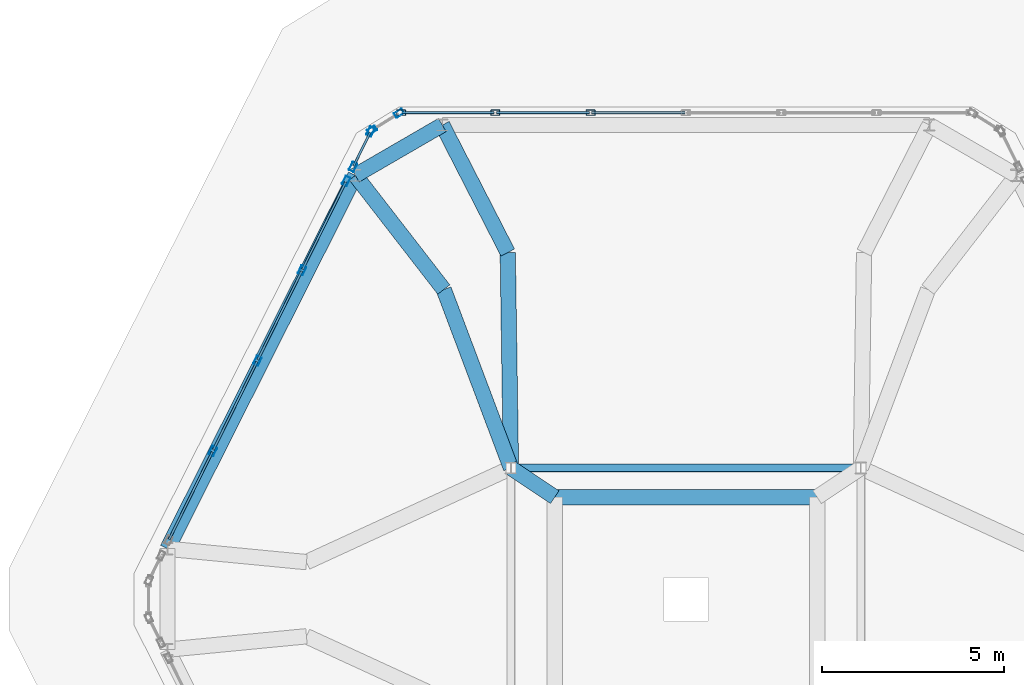
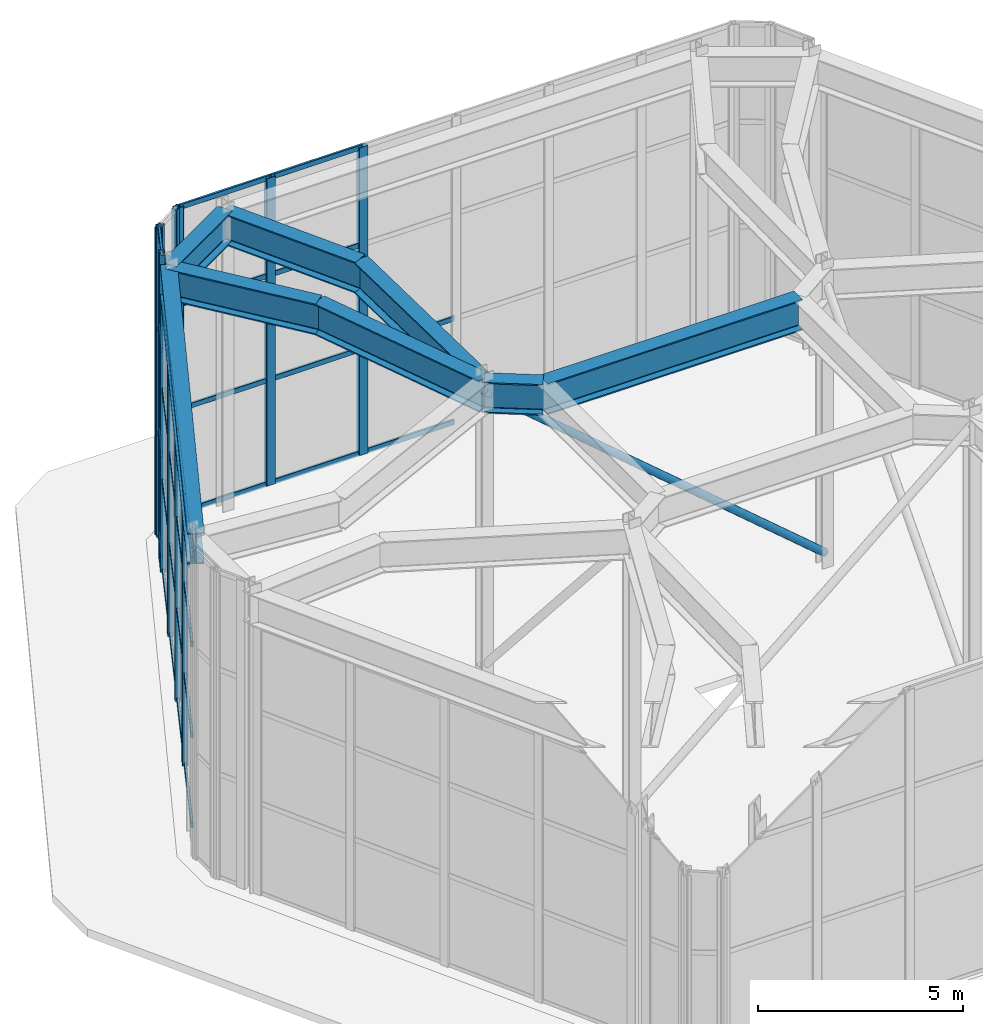
# One storey, part 5 of 10: 42 members, 8 beams, 4 elements without a shape of their own.
"""IFC4 building model written with IfcOpenShell, lengths in metres."""

from ifc_helpers import new_model, si_unit, direction, frame, origin, origin_2d, place, context, subcontext, project, spatial, hollow_rectangle, hollow_circle, i_section, extrude, material, layer, layer_set, material_profile, profile_set, type_object, element, aggregate, save


model = new_model("IFC4")

# Units and contexts
model_context = context("Model", 3, precision=1e-05, world=origin(), true_north=direction((0.0, 1.0)))
body_context = subcontext(model_context, "Body", "Model", "MODEL_VIEW")
ifc_project = project(units=[si_unit("LENGTHUNIT", "METRE"), si_unit("AREAUNIT", "SQUARE_METRE"), si_unit("VOLUMEUNIT", "CUBIC_METRE"), si_unit("PLANEANGLEUNIT", "RADIAN"), si_unit("MASSUNIT", "GRAM", prefix="KILO")], contexts=[model_context])

# Site, building, storey
site_placement = place(None, origin())
site = spatial("IfcSite", under=ifc_project, at=site_placement, CompositionType="ELEMENT")
building_placement = place(site_placement, origin())
building = spatial("IfcBuilding", under=site, at=building_placement, Name="Cinnabar Lancet Tower", CompositionType="ELEMENT")
storey_placement = place(building_placement, frame((0.0, 0.0, 314.675048828125)))
storey = spatial("IfcBuildingStorey", under=building, at=storey_placement, Name="L81", CompositionType="ELEMENT", Elevation=314.675048828125)

# Curtain wall, members
ifc_material_1 = material(Name="Thermally broken bronze-anodized aluminium and low-E glass", Category="aluminium")
ifc_layer = layer(ifc_material_1, 0.179931640625)
ifc_layer_set = layer_set([ifc_layer], Name="Thermally broken bronze-anodized aluminium and low-E glass")
curtain_wall_type = type_object("IfcCurtainWallType", Name="ENV-CW-SYS-05", PredefinedType="NOTDEFINED", material=ifc_layer_set)
curtain_wall_1_placement = place(storey_placement, origin())
curtain_wall_1 = element("IfcCurtainWall", 1, at=curtain_wall_1_placement, inside=storey, type_object=curtain_wall_type, Name="L81 Faceted Lancet Crown Curtain Wall 12", PredefinedType="NOTDEFINED")
ifc_material_2 = material(Name="Anodized architectural aluminium 6063-T6", Category="aluminium")
ifc_material_profile_1 = material_profile(ifc_material_2, hollow_rectangle(XDim=0.14990234375, YDim=0.25, WallThickness=0.010009765625, InnerFilletRadius=0.0048828125, OuterFilletRadius=0.014892578125, at=origin_2d()), Name="RHS 250x150x10")
ifc_profile_set_1 = profile_set([ifc_material_profile_1], Name="Anodized architectural aluminium 6063-T6")
member_type_1 = type_object("IfcMemberType", Name="ENV-CW-MUL-260", PredefinedType="MULLION", material=ifc_profile_set_1)
member_1_placement = place(storey_placement, frame((29.785400390625, 39.14990234375, 0.0), z_axis=(0.0, 0.0, 1.0), x_axis=(0.0, -1.0, 0.0)))
member_1 = element("IfcMember", 2, at=member_1_placement, type_object=member_type_1, Name="CW-05 mullion 5", PredefinedType="MULLION", context=body_context, shape_type="SweptSolid", body=[
    extrude(hollow_rectangle(XDim=0.14990234375, YDim=0.25, WallThickness=0.010009765625, InnerFilletRadius=0.0048828125, OuterFilletRadius=0.014892578125, at=origin_2d()), origin(), (0.0, 0.0, 1.0), 9.175048828125),
])
member_2_placement = place(storey_placement, frame((27.170654296875, 39.14990234375, 0.0), z_axis=(0.0, 0.0, 1.0), x_axis=(0.0, -1.0, 0.0)))
member_2 = element("IfcMember", 3, at=member_2_placement, type_object=member_type_1, Name="CW-05 mullion 6", PredefinedType="MULLION", context=body_context, shape_type="SweptSolid", body=[
    extrude(hollow_rectangle(XDim=0.14990234375, YDim=0.25, WallThickness=0.010009765625, InnerFilletRadius=0.0048828125, OuterFilletRadius=0.014892578125, at=origin_2d()), origin(), (0.0, 0.0, 1.0), 9.175048828125),
])
member_3_placement = place(storey_placement, frame((24.5859375, 39.14990234375, 0.0), z_axis=(0.0, 0.0, 1.0), x_axis=(0.0, -1.0, 0.0)))
member_3 = element("IfcMember", 4, at=member_3_placement, type_object=member_type_1, Name="CW-05 mullion 7", PredefinedType="MULLION", context=body_context, shape_type="SweptSolid", body=[
    extrude(hollow_rectangle(XDim=0.14990234375, YDim=0.25, WallThickness=0.010009765625, InnerFilletRadius=0.0048828125, OuterFilletRadius=0.014892578125, at=origin_2d()), origin(), (0.0, 0.0, 1.0), 9.175048828125),
])

curtain_wall_2_placement = place(storey_placement, origin())
curtain_wall_2 = element("IfcCurtainWall", 5, at=curtain_wall_2_placement, inside=storey, type_object=curtain_wall_type, Name="L81 Faceted Lancet Crown Curtain Wall 13", PredefinedType="NOTDEFINED")
member_4_placement = place(storey_placement, frame((24.530517578125, 39.13427734375, 0.0), z_axis=(0.0, 0.0, 1.0), x_axis=(0.527975874925, -0.849259368802, 0.0)))
member_4 = element("IfcMember", 6, at=member_4_placement, type_object=member_type_1, Name="CW-05 mullion 1", PredefinedType="MULLION", context=body_context, shape_type="SweptSolid", body=[
    extrude(hollow_rectangle(XDim=0.14990234375, YDim=0.25, WallThickness=0.010009765625, InnerFilletRadius=0.0048828125, OuterFilletRadius=0.014892578125, at=origin_2d()), origin(), (0.0, 0.0, 1.0), 9.175048828125),
])
member_5_placement = place(storey_placement, frame((23.78857421875, 38.6728515625, 0.0), z_axis=(0.0, 0.0, 1.0), x_axis=(0.527975874925, -0.849259368802, 0.0)))
member_5 = element("IfcMember", 7, at=member_5_placement, type_object=member_type_1, Name="CW-05 mullion 2", PredefinedType="MULLION", context=body_context, shape_type="SweptSolid", body=[
    extrude(hollow_rectangle(XDim=0.14990234375, YDim=0.25, WallThickness=0.010009765625, InnerFilletRadius=0.0048828125, OuterFilletRadius=0.014892578125, at=origin_2d()), origin(), (0.0, 0.0, 1.0), 9.175048828125),
])
aggregate(curtain_wall_2, [member_4, member_5])

curtain_wall_3_placement = place(storey_placement, origin())
curtain_wall_3 = element("IfcCurtainWall", 8, at=curtain_wall_3_placement, inside=storey, type_object=curtain_wall_type, Name="L81 Faceted Lancet Crown Curtain Wall 14", PredefinedType="NOTDEFINED")
member_6_placement = place(storey_placement, frame((23.749755859375, 38.630126953125, 0.0), z_axis=(0.0, 0.0, 1.0), x_axis=(0.896342772424, -0.443361742062, 0.0)))
member_6 = element("IfcMember", 9, at=member_6_placement, type_object=member_type_1, Name="CW-05 mullion 1", PredefinedType="MULLION", context=body_context, shape_type="SweptSolid", body=[
    extrude(hollow_rectangle(XDim=0.14990234375, YDim=0.25, WallThickness=0.010009765625, InnerFilletRadius=0.0048828125, OuterFilletRadius=0.014892578125, at=origin_2d()), origin(), (0.0, 0.0, 1.0), 9.175048828125),
])
member_7_placement = place(storey_placement, frame((23.269287109375, 37.658935546875, 0.0), z_axis=(0.0, 0.0, 1.0), x_axis=(0.896342772424, -0.443361742062, 0.0)))
member_7 = element("IfcMember", 10, at=member_7_placement, type_object=member_type_1, Name="CW-05 mullion 2", PredefinedType="MULLION", context=body_context, shape_type="SweptSolid", body=[
    extrude(hollow_rectangle(XDim=0.14990234375, YDim=0.25, WallThickness=0.010009765625, InnerFilletRadius=0.0048828125, OuterFilletRadius=0.014892578125, at=origin_2d()), origin(), (0.0, 0.0, 1.0), 9.175048828125),
])

curtain_wall_4_placement = place(storey_placement, origin())
curtain_wall_4 = element("IfcCurtainWall", 11, at=curtain_wall_4_placement, inside=storey, type_object=curtain_wall_type, Name="L81 Faceted Lancet Crown Curtain Wall 15", PredefinedType="NOTDEFINED")
member_8_placement = place(storey_placement, frame((23.07958984375, 37.274169921875, 0.0), z_axis=(0.0, 0.0, 1.0), x_axis=(0.896551648599, -0.442939207335, 0.0)))
member_8 = element("IfcMember", 12, at=member_8_placement, type_object=member_type_1, Name="CW-05 mullion 1", PredefinedType="MULLION", context=body_context, shape_type="SweptSolid", body=[
    extrude(hollow_rectangle(XDim=0.14990234375, YDim=0.25, WallThickness=0.010009765625, InnerFilletRadius=0.0048828125, OuterFilletRadius=0.014892578125, at=origin_2d()), origin(), (0.0, 0.0, 1.0), 7.993896484375),
])
member_9_placement = place(storey_placement, frame((21.86865234375, 34.822998046875, 0.0), z_axis=(0.0, 0.0, 1.0), x_axis=(0.896551648599, -0.442939207335, 0.0)))
member_9 = element("IfcMember", 13, at=member_9_placement, type_object=member_type_1, Name="CW-05 mullion 2", PredefinedType="MULLION", context=body_context, shape_type="SweptSolid", body=[
    extrude(hollow_rectangle(XDim=0.14990234375, YDim=0.25, WallThickness=0.010009765625, InnerFilletRadius=0.0048828125, OuterFilletRadius=0.014892578125, at=origin_2d()), origin(), (0.0, 0.0, 1.0), 7.993896484375),
])
member_10_placement = place(storey_placement, frame((20.64453125, 32.344970703125, 0.0), z_axis=(0.0, 0.0, 1.0), x_axis=(0.896551648599, -0.442939207335, 0.0)))
member_10 = element("IfcMember", 14, at=member_10_placement, type_object=member_type_1, Name="CW-05 mullion 3", PredefinedType="MULLION", context=body_context, shape_type="SweptSolid", body=[
    extrude(hollow_rectangle(XDim=0.14990234375, YDim=0.25, WallThickness=0.010009765625, InnerFilletRadius=0.0048828125, OuterFilletRadius=0.014892578125, at=origin_2d()), origin(), (0.0, 0.0, 1.0), 7.993896484375),
])
member_11_placement = place(storey_placement, frame((19.420166015625, 29.866943359375, 0.0), z_axis=(0.0, 0.0, 1.0), x_axis=(0.896551648599, -0.442939207335, 0.0)))
member_11 = element("IfcMember", 15, at=member_11_placement, type_object=member_type_1, Name="CW-05 mullion 4", PredefinedType="MULLION", context=body_context, shape_type="SweptSolid", body=[
    extrude(hollow_rectangle(XDim=0.14990234375, YDim=0.25, WallThickness=0.010009765625, InnerFilletRadius=0.0048828125, OuterFilletRadius=0.014892578125, at=origin_2d()), origin(), (0.0, 0.0, 1.0), 7.993896484375),
])

# Member
ifc_material_3 = material(Name="Anodized architectural aluminium 6063-T6", Category="aluminium")
ifc_material_profile_2 = material_profile(ifc_material_3, hollow_rectangle(XDim=0.06494140625, YDim=0.14990234375, WallThickness=0.00390625, InnerFilletRadius=0.001953125, OuterFilletRadius=0.006103515625, at=origin_2d()), Name="CW-TRN 150x65x4")
ifc_profile_set_2 = profile_set([ifc_material_profile_2], Name="Anodized architectural aluminium 6063-T6")
member_type_2 = type_object("IfcMemberType", Name="ENV-CW-TRN-160", PredefinedType="USERDEFINED", material=ifc_profile_set_2)
member_12_placement = place(storey_placement, frame((32.3701171875, 39.14990234375, 0.030029296875), z_axis=(-1.0, 0.0, 0.0), x_axis=(0.0, -1.0, 0.0)))
member_12 = element("IfcMember", 16, at=member_12_placement, type_object=member_type_2, Name="CW-05 transom 4.1", ObjectType="TRANSOM", PredefinedType="USERDEFINED", context=body_context, shape_type="SweptSolid", body=[
    extrude(hollow_rectangle(XDim=0.06494140625, YDim=0.14990234375, WallThickness=0.00390625, InnerFilletRadius=0.001953125, OuterFilletRadius=0.006103515625, at=origin_2d()), origin(), (0.0, 0.0, 1.0), 2.5546875),
])

member_13_placement = place(storey_placement, frame((32.3701171875, 39.14990234375, 3.119873046875), z_axis=(-1.0, 0.0, 0.0), x_axis=(0.0, -1.0, 0.0)))
member_13 = element("IfcMember", 17, at=member_13_placement, type_object=member_type_2, Name="CW-05 transom 4.2", ObjectType="TRANSOM", PredefinedType="USERDEFINED", context=body_context, shape_type="SweptSolid", body=[
    extrude(hollow_rectangle(XDim=0.06494140625, YDim=0.14990234375, WallThickness=0.00390625, InnerFilletRadius=0.001953125, OuterFilletRadius=0.006103515625, at=origin_2d()), origin(), (0.0, 0.0, 1.0), 2.5546875),
])

member_14_placement = place(storey_placement, frame((29.75537109375, 39.14990234375, 0.030029296875), z_axis=(-1.0, 0.0, 0.0), x_axis=(0.0, -1.0, 0.0)))
member_14 = element("IfcMember", 18, at=member_14_placement, type_object=member_type_2, Name="CW-05 transom 5.1", ObjectType="TRANSOM", PredefinedType="USERDEFINED", context=body_context, shape_type="SweptSolid", body=[
    extrude(hollow_rectangle(XDim=0.06494140625, YDim=0.14990234375, WallThickness=0.00390625, InnerFilletRadius=0.001953125, OuterFilletRadius=0.006103515625, at=origin_2d()), origin(), (0.0, 0.0, 1.0), 2.5546875),
])

member_15_placement = place(storey_placement, frame((29.75537109375, 39.14990234375, 3.119873046875), z_axis=(-1.0, 0.0, 0.0), x_axis=(0.0, -1.0, 0.0)))
member_15 = element("IfcMember", 19, at=member_15_placement, type_object=member_type_2, Name="CW-05 transom 5.2", ObjectType="TRANSOM", PredefinedType="USERDEFINED", context=body_context, shape_type="SweptSolid", body=[
    extrude(hollow_rectangle(XDim=0.06494140625, YDim=0.14990234375, WallThickness=0.00390625, InnerFilletRadius=0.001953125, OuterFilletRadius=0.006103515625, at=origin_2d()), origin(), (0.0, 0.0, 1.0), 2.5546875),
])

member_16_placement = place(storey_placement, frame((29.75537109375, 39.14990234375, 6.239013671875), z_axis=(-1.0, 0.0, 0.0), x_axis=(0.0, -1.0, 0.0)))
member_16 = element("IfcMember", 20, at=member_16_placement, type_object=member_type_2, Name="CW-05 transom 5.3", ObjectType="TRANSOM", PredefinedType="USERDEFINED", context=body_context, shape_type="SweptSolid", body=[
    extrude(hollow_rectangle(XDim=0.06494140625, YDim=0.14990234375, WallThickness=0.00390625, InnerFilletRadius=0.001953125, OuterFilletRadius=0.006103515625, at=origin_2d()), origin(), (0.0, 0.0, 1.0), 2.5546875),
])

member_17_placement = place(storey_placement, frame((29.75537109375, 39.14990234375, 9.14501953125), z_axis=(-1.0, 0.0, 0.0), x_axis=(0.0, -1.0, 0.0)))
member_17 = element("IfcMember", 21, at=member_17_placement, type_object=member_type_2, Name="CW-05 transom 5.4", ObjectType="TRANSOM", PredefinedType="USERDEFINED", context=body_context, shape_type="SweptSolid", body=[
    extrude(hollow_rectangle(XDim=0.06494140625, YDim=0.14990234375, WallThickness=0.00390625, InnerFilletRadius=0.001953125, OuterFilletRadius=0.006103515625, at=origin_2d()), origin(), (0.0, 0.0, 1.0), 2.5546875),
])

member_18_placement = place(storey_placement, frame((27.140625, 39.14990234375, 0.030029296875), z_axis=(-1.0, 0.0, 0.0), x_axis=(0.0, -1.0, 0.0)))
member_18 = element("IfcMember", 22, at=member_18_placement, type_object=member_type_2, Name="CW-05 transom 6.1", ObjectType="TRANSOM", PredefinedType="USERDEFINED", context=body_context, shape_type="SweptSolid", body=[
    extrude(hollow_rectangle(XDim=0.06494140625, YDim=0.14990234375, WallThickness=0.00390625, InnerFilletRadius=0.001953125, OuterFilletRadius=0.006103515625, at=origin_2d()), origin(), (0.0, 0.0, 1.0), 2.524658203125),
])

member_19_placement = place(storey_placement, frame((27.140625, 39.14990234375, 3.119873046875), z_axis=(-1.0, 0.0, 0.0), x_axis=(0.0, -1.0, 0.0)))
member_19 = element("IfcMember", 23, at=member_19_placement, type_object=member_type_2, Name="CW-05 transom 6.2", ObjectType="TRANSOM", PredefinedType="USERDEFINED", context=body_context, shape_type="SweptSolid", body=[
    extrude(hollow_rectangle(XDim=0.06494140625, YDim=0.14990234375, WallThickness=0.00390625, InnerFilletRadius=0.001953125, OuterFilletRadius=0.006103515625, at=origin_2d()), origin(), (0.0, 0.0, 1.0), 2.524658203125),
])

member_20_placement = place(storey_placement, frame((27.140625, 39.14990234375, 6.239013671875), z_axis=(-1.0, 0.0, 0.0), x_axis=(0.0, -1.0, 0.0)))
member_20 = element("IfcMember", 24, at=member_20_placement, type_object=member_type_2, Name="CW-05 transom 6.3", ObjectType="TRANSOM", PredefinedType="USERDEFINED", context=body_context, shape_type="SweptSolid", body=[
    extrude(hollow_rectangle(XDim=0.06494140625, YDim=0.14990234375, WallThickness=0.00390625, InnerFilletRadius=0.001953125, OuterFilletRadius=0.006103515625, at=origin_2d()), origin(), (0.0, 0.0, 1.0), 2.524658203125),
])

member_21_placement = place(storey_placement, frame((27.140625, 39.14990234375, 9.14501953125), z_axis=(-1.0, 0.0, 0.0), x_axis=(0.0, -1.0, 0.0)))
member_21 = element("IfcMember", 25, at=member_21_placement, type_object=member_type_2, Name="CW-05 transom 6.4", ObjectType="TRANSOM", PredefinedType="USERDEFINED", context=body_context, shape_type="SweptSolid", body=[
    extrude(hollow_rectangle(XDim=0.06494140625, YDim=0.14990234375, WallThickness=0.00390625, InnerFilletRadius=0.001953125, OuterFilletRadius=0.006103515625, at=origin_2d()), origin(), (0.0, 0.0, 1.0), 2.524658203125),
])

aggregate(curtain_wall_1, [member_1, member_2, member_3, member_12, member_13, member_14, member_15, member_16, member_17, member_18, member_19, member_20, member_21])

member_22_placement = place(storey_placement, frame((23.736328125, 38.603271484375, 0.030029296875), z_axis=(-0.443201685678, -0.896421923991, 0.0), x_axis=(0.896421923991, -0.443201685678, 0.0)))
member_22 = element("IfcMember", 26, at=member_22_placement, type_object=member_type_2, Name="CW-05 transom 1.1", ObjectType="TRANSOM", PredefinedType="USERDEFINED", context=body_context, shape_type="SweptSolid", body=[
    extrude(hollow_rectangle(XDim=0.06494140625, YDim=0.14990234375, WallThickness=0.00390625, InnerFilletRadius=0.001953125, OuterFilletRadius=0.006103515625, at=origin_2d()), origin(), (0.0, 0.0, 1.0), 1.0234375),
])

member_23_placement = place(storey_placement, frame((23.736328125, 38.603271484375, 3.119873046875), z_axis=(-0.443201685678, -0.896421923991, 0.0), x_axis=(0.896421923991, -0.443201685678, 0.0)))
member_23 = element("IfcMember", 27, at=member_23_placement, type_object=member_type_2, Name="CW-05 transom 1.2", ObjectType="TRANSOM", PredefinedType="USERDEFINED", context=body_context, shape_type="SweptSolid", body=[
    extrude(hollow_rectangle(XDim=0.06494140625, YDim=0.14990234375, WallThickness=0.00390625, InnerFilletRadius=0.001953125, OuterFilletRadius=0.006103515625, at=origin_2d()), origin(), (0.0, 0.0, 1.0), 1.0234375),
])

member_24_placement = place(storey_placement, frame((23.736328125, 38.603271484375, 6.239013671875), z_axis=(-0.443201685678, -0.896421923991, 0.0), x_axis=(0.896421923991, -0.443201685678, 0.0)))
member_24 = element("IfcMember", 28, at=member_24_placement, type_object=member_type_2, Name="CW-05 transom 1.3", ObjectType="TRANSOM", PredefinedType="USERDEFINED", context=body_context, shape_type="SweptSolid", body=[
    extrude(hollow_rectangle(XDim=0.06494140625, YDim=0.14990234375, WallThickness=0.00390625, InnerFilletRadius=0.001953125, OuterFilletRadius=0.006103515625, at=origin_2d()), origin(), (0.0, 0.0, 1.0), 1.0234375),
])

member_25_placement = place(storey_placement, frame((23.736328125, 38.603271484375, 9.14501953125), z_axis=(-0.443201685678, -0.896421923991, 0.0), x_axis=(0.896421923991, -0.443201685678, 0.0)))
member_25 = element("IfcMember", 29, at=member_25_placement, type_object=member_type_2, Name="CW-05 transom 1.4", ObjectType="TRANSOM", PredefinedType="USERDEFINED", context=body_context, shape_type="SweptSolid", body=[
    extrude(hollow_rectangle(XDim=0.06494140625, YDim=0.14990234375, WallThickness=0.00390625, InnerFilletRadius=0.001953125, OuterFilletRadius=0.006103515625, at=origin_2d()), origin(), (0.0, 0.0, 1.0), 1.0234375),
])

aggregate(curtain_wall_3, [member_6, member_7, member_22, member_23, member_24, member_25])

member_26_placement = place(storey_placement, frame((23.06640625, 37.247314453125, 0.030029296875), z_axis=(-0.442899018321, -0.896571502765, 0.0), x_axis=(0.896571502765, -0.442899018321, 0.0)))
member_26 = element("IfcMember", 30, at=member_26_placement, type_object=member_type_2, Name="CW-05 transom 1.1", ObjectType="TRANSOM", PredefinedType="USERDEFINED", context=body_context, shape_type="SweptSolid", body=[
    extrude(hollow_rectangle(XDim=0.06494140625, YDim=0.14990234375, WallThickness=0.00390625, InnerFilletRadius=0.001953125, OuterFilletRadius=0.006103515625, at=origin_2d()), origin(), (0.0, 0.0, 1.0), 2.674072265625),
])

member_27_placement = place(storey_placement, frame((23.06640625, 37.247314453125, 2.718017578125), z_axis=(-0.442899018321, -0.896571502765, 0.0), x_axis=(0.896571502765, -0.442899018321, 0.0)))
member_27 = element("IfcMember", 31, at=member_27_placement, type_object=member_type_2, Name="CW-05 transom 1.2", ObjectType="TRANSOM", PredefinedType="USERDEFINED", context=body_context, shape_type="SweptSolid", body=[
    extrude(hollow_rectangle(XDim=0.06494140625, YDim=0.14990234375, WallThickness=0.00390625, InnerFilletRadius=0.001953125, OuterFilletRadius=0.006103515625, at=origin_2d()), origin(), (0.0, 0.0, 1.0), 2.674072265625),
])

member_28_placement = place(storey_placement, frame((23.06640625, 37.247314453125, 5.43603515625), z_axis=(-0.442899018321, -0.896571502765, 0.0), x_axis=(0.896571502765, -0.442899018321, 0.0)))
member_28 = element("IfcMember", 32, at=member_28_placement, type_object=member_type_2, Name="CW-05 transom 1.3", ObjectType="TRANSOM", PredefinedType="USERDEFINED", context=body_context, shape_type="SweptSolid", body=[
    extrude(hollow_rectangle(XDim=0.06494140625, YDim=0.14990234375, WallThickness=0.00390625, InnerFilletRadius=0.001953125, OuterFilletRadius=0.006103515625, at=origin_2d()), origin(), (0.0, 0.0, 1.0), 2.674072265625),
])

member_29_placement = place(storey_placement, frame((23.06640625, 37.247314453125, 7.9638671875), z_axis=(-0.442899018321, -0.896571502765, 0.0), x_axis=(0.896571502765, -0.442899018321, 0.0)))
member_29 = element("IfcMember", 33, at=member_29_placement, type_object=member_type_2, Name="CW-05 transom 1.4", ObjectType="TRANSOM", PredefinedType="USERDEFINED", context=body_context, shape_type="SweptSolid", body=[
    extrude(hollow_rectangle(XDim=0.06494140625, YDim=0.14990234375, WallThickness=0.00390625, InnerFilletRadius=0.001953125, OuterFilletRadius=0.006103515625, at=origin_2d()), origin(), (0.0, 0.0, 1.0), 2.674072265625),
])

member_30_placement = place(storey_placement, frame((21.85546875, 34.796142578125, 0.030029296875), z_axis=(-0.442946982999, -0.896547807009, 0.0), x_axis=(0.896547807009, -0.442946982999, 0.0)))
member_30 = element("IfcMember", 34, at=member_30_placement, type_object=member_type_2, Name="CW-05 transom 2.1", ObjectType="TRANSOM", PredefinedType="USERDEFINED", context=body_context, shape_type="SweptSolid", body=[
    extrude(hollow_rectangle(XDim=0.06494140625, YDim=0.14990234375, WallThickness=0.00390625, InnerFilletRadius=0.001953125, OuterFilletRadius=0.006103515625, at=origin_2d()), origin(), (0.0, 0.0, 1.0), 2.7041015625),
])

member_31_placement = place(storey_placement, frame((21.85546875, 34.796142578125, 2.718017578125), z_axis=(-0.442946982999, -0.896547807009, 0.0), x_axis=(0.896547807009, -0.442946982999, 0.0)))
member_31 = element("IfcMember", 35, at=member_31_placement, type_object=member_type_2, Name="CW-05 transom 2.2", ObjectType="TRANSOM", PredefinedType="USERDEFINED", context=body_context, shape_type="SweptSolid", body=[
    extrude(hollow_rectangle(XDim=0.06494140625, YDim=0.14990234375, WallThickness=0.00390625, InnerFilletRadius=0.001953125, OuterFilletRadius=0.006103515625, at=origin_2d()), origin(), (0.0, 0.0, 1.0), 2.7041015625),
])

member_32_placement = place(storey_placement, frame((21.85546875, 34.796142578125, 5.43603515625), z_axis=(-0.442946982999, -0.896547807009, 0.0), x_axis=(0.896547807009, -0.442946982999, 0.0)))
member_32 = element("IfcMember", 36, at=member_32_placement, type_object=member_type_2, Name="CW-05 transom 2.3", ObjectType="TRANSOM", PredefinedType="USERDEFINED", context=body_context, shape_type="SweptSolid", body=[
    extrude(hollow_rectangle(XDim=0.06494140625, YDim=0.14990234375, WallThickness=0.00390625, InnerFilletRadius=0.001953125, OuterFilletRadius=0.006103515625, at=origin_2d()), origin(), (0.0, 0.0, 1.0), 2.7041015625),
])

member_33_placement = place(storey_placement, frame((21.85546875, 34.796142578125, 7.9638671875), z_axis=(-0.442946982999, -0.896547807009, 0.0), x_axis=(0.896547807009, -0.442946982999, 0.0)))
member_33 = element("IfcMember", 37, at=member_33_placement, type_object=member_type_2, Name="CW-05 transom 2.4", ObjectType="TRANSOM", PredefinedType="USERDEFINED", context=body_context, shape_type="SweptSolid", body=[
    extrude(hollow_rectangle(XDim=0.06494140625, YDim=0.14990234375, WallThickness=0.00390625, InnerFilletRadius=0.001953125, OuterFilletRadius=0.006103515625, at=origin_2d()), origin(), (0.0, 0.0, 1.0), 2.7041015625),
])

member_34_placement = place(storey_placement, frame((20.631103515625, 32.318115234375, 0.030029296875), z_axis=(-0.442874406309, -0.896583660478, 0.0), x_axis=(0.896583660478, -0.442874406309, 0.0)))
member_34 = element("IfcMember", 38, at=member_34_placement, type_object=member_type_2, Name="CW-05 transom 3.1", ObjectType="TRANSOM", PredefinedType="USERDEFINED", context=body_context, shape_type="SweptSolid", body=[
    extrude(hollow_rectangle(XDim=0.06494140625, YDim=0.14990234375, WallThickness=0.00390625, InnerFilletRadius=0.001953125, OuterFilletRadius=0.006103515625, at=origin_2d()), origin(), (0.0, 0.0, 1.0), 2.703857421875),
])

member_35_placement = place(storey_placement, frame((20.631103515625, 32.318115234375, 2.718017578125), z_axis=(-0.442874406309, -0.896583660478, 0.0), x_axis=(0.896583660478, -0.442874406309, 0.0)))
member_35 = element("IfcMember", 39, at=member_35_placement, type_object=member_type_2, Name="CW-05 transom 3.2", ObjectType="TRANSOM", PredefinedType="USERDEFINED", context=body_context, shape_type="SweptSolid", body=[
    extrude(hollow_rectangle(XDim=0.06494140625, YDim=0.14990234375, WallThickness=0.00390625, InnerFilletRadius=0.001953125, OuterFilletRadius=0.006103515625, at=origin_2d()), origin(), (0.0, 0.0, 1.0), 2.703857421875),
])

member_36_placement = place(storey_placement, frame((20.631103515625, 32.318115234375, 5.43603515625), z_axis=(-0.442874406309, -0.896583660478, 0.0), x_axis=(0.896583660478, -0.442874406309, 0.0)))
member_36 = element("IfcMember", 40, at=member_36_placement, type_object=member_type_2, Name="CW-05 transom 3.3", ObjectType="TRANSOM", PredefinedType="USERDEFINED", context=body_context, shape_type="SweptSolid", body=[
    extrude(hollow_rectangle(XDim=0.06494140625, YDim=0.14990234375, WallThickness=0.00390625, InnerFilletRadius=0.001953125, OuterFilletRadius=0.006103515625, at=origin_2d()), origin(), (0.0, 0.0, 1.0), 2.703857421875),
])

member_37_placement = place(storey_placement, frame((20.631103515625, 32.318115234375, 7.9638671875), z_axis=(-0.442874406309, -0.896583660478, 0.0), x_axis=(0.896583660478, -0.442874406309, 0.0)))
member_37 = element("IfcMember", 41, at=member_37_placement, type_object=member_type_2, Name="CW-05 transom 3.4", ObjectType="TRANSOM", PredefinedType="USERDEFINED", context=body_context, shape_type="SweptSolid", body=[
    extrude(hollow_rectangle(XDim=0.06494140625, YDim=0.14990234375, WallThickness=0.00390625, InnerFilletRadius=0.001953125, OuterFilletRadius=0.006103515625, at=origin_2d()), origin(), (0.0, 0.0, 1.0), 2.703857421875),
])

member_38_placement = place(storey_placement, frame((19.406982421875, 29.840087890625, 0.030029296875), z_axis=(-0.442935275525, -0.89655359109, 0.0), x_axis=(0.89655359109, -0.442935275525, 0.0)))
member_38 = element("IfcMember", 42, at=member_38_placement, type_object=member_type_2, Name="CW-05 transom 4.1", ObjectType="TRANSOM", PredefinedType="USERDEFINED", context=body_context, shape_type="SweptSolid", body=[
    extrude(hollow_rectangle(XDim=0.06494140625, YDim=0.14990234375, WallThickness=0.00390625, InnerFilletRadius=0.001953125, OuterFilletRadius=0.006103515625, at=origin_2d()), origin(), (0.0, 0.0, 1.0), 2.673828125),
])

member_39_placement = place(storey_placement, frame((19.406982421875, 29.840087890625, 2.718017578125), z_axis=(-0.442935275525, -0.89655359109, 0.0), x_axis=(0.89655359109, -0.442935275525, 0.0)))
member_39 = element("IfcMember", 43, at=member_39_placement, type_object=member_type_2, Name="CW-05 transom 4.2", ObjectType="TRANSOM", PredefinedType="USERDEFINED", context=body_context, shape_type="SweptSolid", body=[
    extrude(hollow_rectangle(XDim=0.06494140625, YDim=0.14990234375, WallThickness=0.00390625, InnerFilletRadius=0.001953125, OuterFilletRadius=0.006103515625, at=origin_2d()), origin(), (0.0, 0.0, 1.0), 2.673828125),
])

member_40_placement = place(storey_placement, frame((19.406982421875, 29.840087890625, 5.43603515625), z_axis=(-0.442935275525, -0.89655359109, 0.0), x_axis=(0.89655359109, -0.442935275525, 0.0)))
member_40 = element("IfcMember", 44, at=member_40_placement, type_object=member_type_2, Name="CW-05 transom 4.3", ObjectType="TRANSOM", PredefinedType="USERDEFINED", context=body_context, shape_type="SweptSolid", body=[
    extrude(hollow_rectangle(XDim=0.06494140625, YDim=0.14990234375, WallThickness=0.00390625, InnerFilletRadius=0.001953125, OuterFilletRadius=0.006103515625, at=origin_2d()), origin(), (0.0, 0.0, 1.0), 2.673828125),
])

member_41_placement = place(storey_placement, frame((19.406982421875, 29.840087890625, 7.9638671875), z_axis=(-0.442935275525, -0.89655359109, 0.0), x_axis=(0.89655359109, -0.442935275525, 0.0)))
member_41 = element("IfcMember", 45, at=member_41_placement, type_object=member_type_2, Name="CW-05 transom 4.4", ObjectType="TRANSOM", PredefinedType="USERDEFINED", context=body_context, shape_type="SweptSolid", body=[
    extrude(hollow_rectangle(XDim=0.06494140625, YDim=0.14990234375, WallThickness=0.00390625, InnerFilletRadius=0.001953125, OuterFilletRadius=0.006103515625, at=origin_2d()), origin(), (0.0, 0.0, 1.0), 2.673828125),
])

aggregate(curtain_wall_4, [member_8, member_9, member_10, member_11, member_26, member_27, member_28, member_29, member_30, member_31, member_32, member_33, member_34, member_35, member_36, member_37, member_38, member_39, member_40, member_41])

# Beams
ifc_material_4 = material(Name="Structural steel S460", Category="steel")
ifc_material_profile_3 = material_profile(ifc_material_4, i_section(OverallWidth=0.42041015625, OverallDepth=0.9208984375, WebThickness=0.021484375, FlangeThickness=0.03662109375, FilletRadius=0.024169921875, at=origin_2d()), Name="UKB 914x419x388")
ifc_profile_set_3 = profile_set([ifc_material_profile_3], Name="Structural steel S460")
beam_type = type_object("IfcBeamType", Name="STR-BM-UKB914-388", PredefinedType="BEAM", material=ifc_profile_set_3)
beam_1_placement = place(storey_placement, frame((25.717041015625, 38.81103515625, 8.4638671875), z_axis=(-0.865159484489, -0.501496825911, 0.0), x_axis=(0.501496825911, -0.865159484489, 0.0)))
element("IfcBeam", 46, at=beam_1_placement, inside=storey, type_object=beam_type, Name="L82 Setback Outer Ring Girder 8", PredefinedType="BEAM", context=body_context, shape_type="SweptSolid", body=[
    extrude(i_section(OverallWidth=0.42041015625, OverallDepth=0.9208984375, WebThickness=0.021484375, FlangeThickness=0.03662109375, FilletRadius=0.024169921875, at=origin_2d()), origin(), (0.0, 0.0, 1.0), 2.7578125),
])
beam_2_placement = place(storey_placement, frame((23.3310546875, 37.427978515625, 8.4638671875), z_axis=(-0.449689931848, -0.893184731841, 0.0), x_axis=(0.893184731841, -0.449689931848, 0.0)))
element("IfcBeam", 47, at=beam_2_placement, inside=storey, type_object=beam_type, Name="L82 Setback Outer Ring Girder 9", PredefinedType="BEAM", context=body_context, shape_type="SweptSolid", body=[
    extrude(i_section(OverallWidth=0.42041015625, OverallDepth=0.9208984375, WebThickness=0.021484375, FlangeThickness=0.03662109375, FilletRadius=0.024169921875, at=origin_2d()), origin(), (0.0, 0.0, 1.0), 11.4677734375),
])
beam_3_placement = place(storey_placement, frame((25.717041015625, 38.81103515625, 8.4638671875), z_axis=(0.456326728428, -0.889812293083, 0.0), x_axis=(0.889812293083, 0.456326728428, 0.0)))
element("IfcBeam", 48, at=beam_3_placement, inside=storey, type_object=beam_type, Name="L82 Crown Setback Strut Girder 8", PredefinedType="BEAM", context=body_context, shape_type="SweptSolid", body=[
    extrude(i_section(OverallWidth=0.42041015625, OverallDepth=0.9208984375, WebThickness=0.021484375, FlangeThickness=0.03662109375, FilletRadius=0.024169921875, at=origin_2d()), origin(), (0.0, 0.0, 1.0), 3.933349609375),
])
beam_4_placement = place(storey_placement, frame((27.511962890625, 35.31103515625, 8.4638671875), z_axis=(0.014908304984, -0.999888865046, 0.0), x_axis=(0.999888865046, 0.014908304984, 0.0)))
element("IfcBeam", 49, at=beam_4_placement, inside=storey, type_object=beam_type, Name="L82 Crown Setback Radial Girder 8", PredefinedType="BEAM", context=body_context, shape_type="SweptSolid", body=[
    extrude(i_section(OverallWidth=0.42041015625, OverallDepth=0.9208984375, WebThickness=0.021484375, FlangeThickness=0.03662109375, FilletRadius=0.024169921875, at=origin_2d()), origin(), (0.0, 0.0, 1.0), 5.911865234375),
])
beam_5_placement = place(storey_placement, frame((23.3310546875, 37.427978515625, 8.4638671875), z_axis=(0.612360855277, -0.79057838506, 0.0), x_axis=(0.79057838506, 0.612360855277, 0.0)))
element("IfcBeam", 50, at=beam_5_placement, inside=storey, type_object=beam_type, Name="L82 Crown Setback Strut Girder 9", PredefinedType="BEAM", context=body_context, shape_type="SweptSolid", body=[
    extrude(i_section(OverallWidth=0.42041015625, OverallDepth=0.9208984375, WebThickness=0.021484375, FlangeThickness=0.03662109375, FilletRadius=0.024169921875, at=origin_2d()), origin(), (0.0, 0.0, 1.0), 3.961669921875),
])
beam_6_placement = place(storey_placement, frame((25.757080078125, 34.2958984375, 8.4638671875), z_axis=(0.35229946294, -0.935887326772, 0.0), x_axis=(0.935887326772, 0.35229946294, 0.0)))
element("IfcBeam", 51, at=beam_6_placement, inside=storey, type_object=beam_type, Name="L82 Crown Setback Radial Girder 9", PredefinedType="BEAM", context=body_context, shape_type="SweptSolid", body=[
    extrude(i_section(OverallWidth=0.42041015625, OverallDepth=0.9208984375, WebThickness=0.021484375, FlangeThickness=0.03662109375, FilletRadius=0.024169921875, at=origin_2d()), origin(), (0.0, 0.0, 1.0), 5.2314453125),
])
beam_7_placement = place(storey_placement, frame((36.0, 28.60009765625, 8.4638671875), z_axis=(-1.0, 0.0, 0.0), x_axis=(0.0, -1.0, 0.0)))
element("IfcBeam", 52, at=beam_7_placement, inside=storey, type_object=beam_type, Name="L82 Crown Inner Ring Tie 3", PredefinedType="BEAM", context=body_context, shape_type="SweptSolid", body=[
    extrude(i_section(OverallWidth=0.42041015625, OverallDepth=0.9208984375, WebThickness=0.021484375, FlangeThickness=0.03662109375, FilletRadius=0.024169921875, at=origin_2d()), origin(), (0.0, 0.0, 1.0), 7.199951171875),
])
beam_8_placement = place(storey_placement, frame((27.60009765625, 29.39990234375, 8.4638671875), z_axis=(0.832102382531, -0.554622055986, 0.0), x_axis=(0.554622055986, 0.832102382531, 0.0)))
element("IfcBeam", 53, at=beam_8_placement, inside=storey, type_object=beam_type, Name="L82 Crown Inner Ring Transfer 4", PredefinedType="BEAM", context=body_context, shape_type="SweptSolid", body=[
    extrude(i_section(OverallWidth=0.42041015625, OverallDepth=0.9208984375, WebThickness=0.021484375, FlangeThickness=0.03662109375, FilletRadius=0.024169921875, at=origin_2d()), origin(), (0.0, 0.0, 1.0), 1.442138671875),
])

# Member
ifc_material_5 = material(Name="Structural steel S460", Category="steel")
ifc_material_profile_4 = material_profile(ifc_material_5, hollow_circle(Radius=0.109619140625, WallThickness=0.010009765625, at=origin_2d()), Name="CHS 219.1x10")
ifc_profile_set_4 = profile_set([ifc_material_profile_4], Name="Structural steel S460")
member_type_3 = type_object("IfcMemberType", Name="STR-MEM-CRN-BRC219", PredefinedType="BRACE", material=ifc_profile_set_4)
member_42_placement = place(storey_placement, frame((37.199951171875, 29.39990234375, 0.349853515625), z_axis=(-0.761345173308, 0.0, 0.648346764533), x_axis=(0.0, -1.0, 0.0)))
element("IfcMember", 54, at=member_42_placement, inside=storey, type_object=member_type_3, Name="L81 Crown Lancet Core Brace 3", PredefinedType="BRACE", context=body_context, shape_type="SweptSolid", body=[
    extrude(hollow_circle(Radius=0.109619140625, WallThickness=0.010009765625, at=origin_2d()), origin(), (0.0, 0.0, 1.0), 12.609130859375),
])

save(model, "model.ifc")
